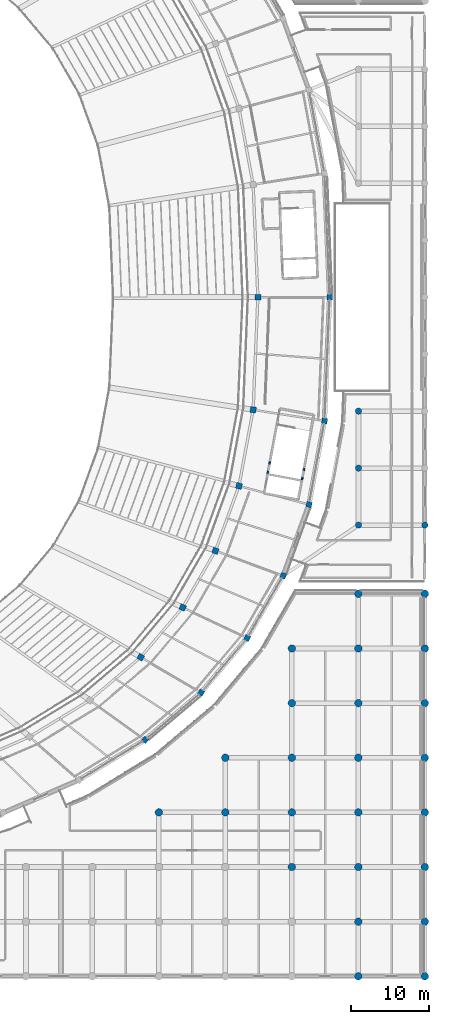
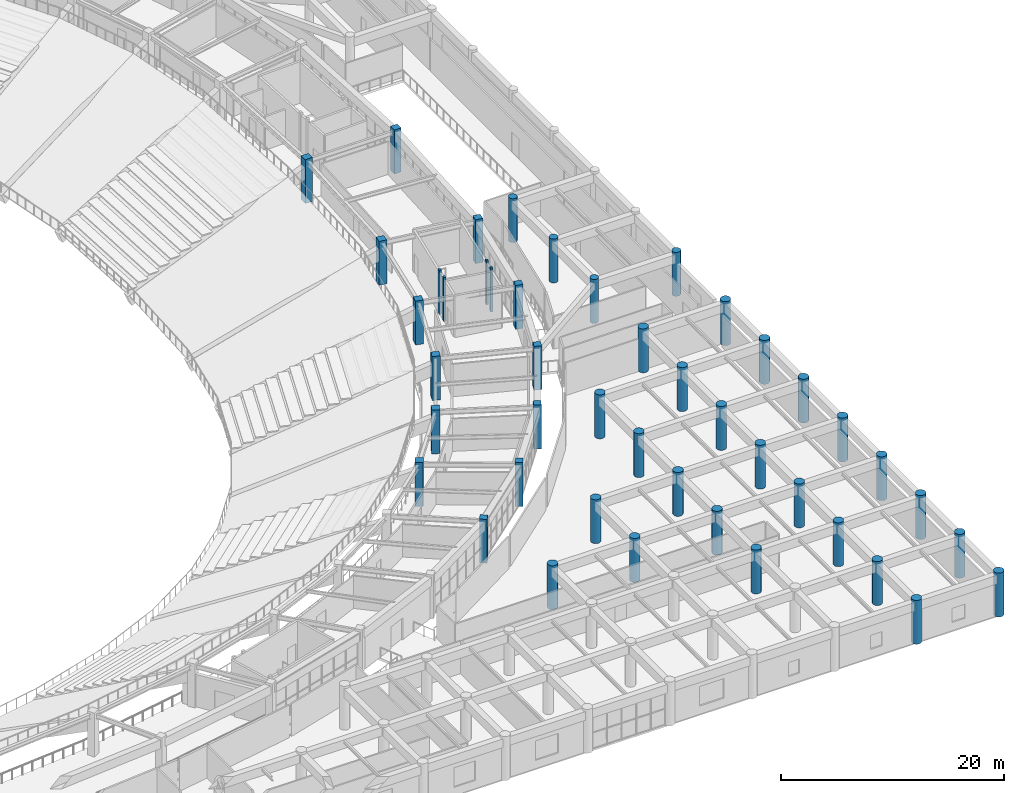
# One storey, part 5 of 137: 45 columns.
"""IFC4 building model written with IfcOpenShell, lengths in metres."""

from ifc_helpers import new_model, si_unit, direction, frame, origin, origin_2d, place, context, subcontext, project, spatial, rectangle, circle, extrude, material, material_profile, profile_set, type_object, element, save


model = new_model("IFC4")

# Units and contexts
model_context = context("Model", 3, precision=1e-05, world=origin(), true_north=direction((0.0, 1.0)))
body_context = subcontext(model_context, "Body", "Model", "MODEL_VIEW")
ifc_project = project(units=[si_unit("LENGTHUNIT", "METRE"), si_unit("AREAUNIT", "SQUARE_METRE"), si_unit("VOLUMEUNIT", "CUBIC_METRE"), si_unit("PLANEANGLEUNIT", "RADIAN"), si_unit("MASSUNIT", "GRAM", prefix="KILO")], contexts=[model_context])

# Site, building, storey
site_placement = place(None, origin())
site = spatial("IfcSite", under=ifc_project, at=site_placement, CompositionType="ELEMENT")
building_placement = place(site_placement, origin())
building = spatial("IfcBuilding", under=site, at=building_placement, Name="Mphavela Belvedere Stadium", CompositionType="ELEMENT")
storey_placement = place(building_placement, frame((0.0, 0.0, 19.199951171875)))
storey = spatial("IfcBuildingStorey", under=building, at=storey_placement, Name="L04", CompositionType="ELEMENT", Elevation=19.199951171875)

# Columns
ifc_material_1 = material(Name="Concrete C40/50", Category="concrete")
ifc_material_profile_1 = material_profile(ifc_material_1, rectangle(XDim=0.300048828125, YDim=0.219970703125, at=origin_2d()), Name="RC 300x220")
ifc_profile_set_1 = profile_set([ifc_material_profile_1], Name="Concrete C40/50")
column_type_1 = type_object("IfcColumnType", Name="COL-CORE-POST-300", PredefinedType="COLUMN", material=ifc_profile_set_1)
for number, where, z_axis, x_axis, name in (
    (1, (210.11376953125, 65.7646484375, 0.0), (0.0, 0.0, 1.0), (-0.182578735093, -0.983191235463, 0.0), "Core C12 stair frame column L04-1"),
    (2, (209.894775390625, 64.584716796875, 0.0), (0.0, 0.0, 1.0), (-0.182578735093, -0.983191235463, 0.0), "Core C12 stair frame column L04-2"),
    (3, (214.28955078125, 63.768798828125, 0.0), (0.0, 0.0, 1.0), (-0.182578735093, -0.983191235463, 0.0), "Core C12 stair frame column L04-3"),
    (4, (214.508544921875, 64.948486328125, 0.0), (0.0, 0.0, 1.0), (-0.182578735093, -0.983191235463, 0.0), "Core C12 stair frame column L04-4"),
):
    element("IfcColumn", number, at=place(storey_placement, frame(where, z_axis=z_axis, x_axis=x_axis)), inside=storey, type_object=column_type_1, Name=name, PredefinedType="COLUMN", context=body_context, shape_type="SweptSolid", body=[
        extrude(rectangle(XDim=0.300048828125, YDim=0.219970703125, at=origin_2d()), origin(), (0.0, 0.0, 1.0), 4.800048828125),
    ])
ifc_material_2 = material(Name="Concrete C40/50", Category="concrete")
ifc_material_profile_2 = material_profile(ifc_material_2, circle(Radius=0.47509765625, at=origin_2d()), Name="COL D950")
ifc_profile_set_2 = profile_set([ifc_material_profile_2], Name="Concrete C40/50")
column_type_2 = type_object("IfcColumnType", Name="COL-DORIC-950", PredefinedType="COLUMN", material=ifc_profile_set_2)
for number, where, z_axis, x_axis, name in (
    (5, (195.926025390625, 21.0, 0.0), (0.0, 0.0, 1.0), (1.0, 0.0, 0.0), "South Axial Triumphal Peristyle Portico classical column L04 24-4"),
    (6, (204.444091796875, 21.0, 0.0), (0.0, 0.0, 1.0), (1.0, 0.0, 0.0), "South Axial Triumphal Peristyle Portico classical column L04 25-4"),
    (7, (204.444091796875, 28.0, 0.0), (0.0, 0.0, 1.0), (1.0, 0.0, 0.0), "South Axial Triumphal Peristyle Portico classical column L04 25-5"),
    (8, (212.962890625, 14.0, 0.0), (0.0, 0.0, 1.0), (1.0, 0.0, 0.0), "South Axial Triumphal Peristyle Portico classical column L04 26-3"),
    (9, (212.962890625, 21.0, 0.0), (0.0, 0.0, 1.0), (1.0, 0.0, 0.0), "South Axial Triumphal Peristyle Portico classical column L04 26-4"),
    (10, (212.962890625, 28.0, 0.0), (0.0, 0.0, 1.0), (1.0, 0.0, 0.0), "South Axial Triumphal Peristyle Portico classical column L04 26-5"),
    (11, (212.962890625, 35.0, 0.0), (0.0, 0.0, 1.0), (1.0, 0.0, 0.0), "South Axial Triumphal Peristyle Portico classical column L04 26-6"),
    (12, (212.962890625, 42.0, 0.0), (0.0, 0.0, 1.0), (1.0, 0.0, 0.0), "South Axial Triumphal Peristyle Portico classical column L04 26-7"),
    (13, (221.48095703125, 0.0, 0.0), (0.0, 0.0, 1.0), (1.0, 0.0, 0.0), "South Axial Triumphal Peristyle Portico classical column L04 27-1"),
    (14, (221.48095703125, 7.0, 0.0), (0.0, 0.0, 1.0), (1.0, 0.0, 0.0), "South Axial Triumphal Peristyle Portico classical column L04 27-2"),
    (15, (221.48095703125, 14.0, 0.0), (0.0, 0.0, 1.0), (1.0, 0.0, 0.0), "South Axial Triumphal Peristyle Portico classical column L04 27-3"),
    (16, (221.48095703125, 21.0, 0.0), (0.0, 0.0, 1.0), (1.0, 0.0, 0.0), "South Axial Triumphal Peristyle Portico classical column L04 27-4"),
    (17, (221.48095703125, 28.0, 0.0), (0.0, 0.0, 1.0), (1.0, 0.0, 0.0), "South Axial Triumphal Peristyle Portico classical column L04 27-5"),
    (18, (221.48095703125, 35.0, 0.0), (0.0, 0.0, 1.0), (1.0, 0.0, 0.0), "South Axial Triumphal Peristyle Portico classical column L04 27-6"),
    (19, (221.48095703125, 42.0, 0.0), (0.0, 0.0, 1.0), (1.0, 0.0, 0.0), "South Axial Triumphal Peristyle Portico classical column L04 27-7"),
    (20, (221.48095703125, 49.0, 0.0), (0.0, 0.0, 1.0), (1.0, 0.0, 0.0), "South Axial Triumphal Peristyle Portico classical column L04 27-8"),
    (21, (230.0, 0.0, 0.0), (0.0, 0.0, 1.0), (1.0, 0.0, 0.0), "South Axial Triumphal Peristyle Portico classical column L04 28-1"),
    (22, (230.0, 7.0, 0.0), (0.0, 0.0, 1.0), (1.0, 0.0, 0.0), "South Axial Triumphal Peristyle Portico classical column L04 28-2"),
    (23, (230.0, 14.0, 0.0), (0.0, 0.0, 1.0), (1.0, 0.0, 0.0), "South Axial Triumphal Peristyle Portico classical column L04 28-3"),
    (24, (230.0, 21.0, 0.0), (0.0, 0.0, 1.0), (1.0, 0.0, 0.0), "South Axial Triumphal Peristyle Portico classical column L04 28-4"),
    (25, (230.0, 28.0, 0.0), (0.0, 0.0, 1.0), (1.0, 0.0, 0.0), "South Axial Triumphal Peristyle Portico classical column L04 28-5"),
    (26, (230.0, 35.0, 0.0), (0.0, 0.0, 1.0), (1.0, 0.0, 0.0), "South Axial Triumphal Peristyle Portico classical column L04 28-6"),
    (27, (230.0, 42.0, 0.0), (0.0, 0.0, 1.0), (1.0, 0.0, 0.0), "South Axial Triumphal Peristyle Portico classical column L04 28-7"),
    (28, (230.0, 49.0, 0.0), (0.0, 0.0, 1.0), (1.0, 0.0, 0.0), "South Axial Triumphal Peristyle Portico classical column L04 28-8"),
):
    element("IfcColumn", number, at=place(storey_placement, frame(where, z_axis=z_axis, x_axis=x_axis)), inside=storey, type_object=column_type_2, Name=name, PredefinedType="COLUMN", context=body_context, shape_type="SweptSolid", body=[
        extrude(circle(Radius=0.47509765625, at=origin_2d()), origin(), (0.0, 0.0, 1.0), 4.800048828125),
    ])
ifc_material_3 = material(Name="Concrete C40/50", Category="concrete")
ifc_material_profile_3 = material_profile(ifc_material_3, circle(Radius=0.39990234375, at=origin_2d()), Name="COL D800")
ifc_profile_set_3 = profile_set([ifc_material_profile_3], Name="Concrete C40/50")
column_type_3 = type_object("IfcColumnType", Name="COL-PERISTYLE-800", PredefinedType="COLUMN", material=ifc_profile_set_3)
for number, where, z_axis, x_axis, name in (
    (29, (221.5, 57.800048828125, 0.0), (0.0, 0.0, 1.0), (1.0, 0.0, 0.0), "East Planted Eaves Peristyle Colonnade classical column L04 8-2"),
    (30, (221.5, 65.10009765625, 0.0), (0.0, 0.0, 1.0), (1.0, 0.0, 0.0), "East Planted Eaves Peristyle Colonnade classical column L04 8-3"),
    (31, (221.5, 72.39990234375, 0.0), (0.0, 0.0, 1.0), (1.0, 0.0, 0.0), "East Planted Eaves Peristyle Colonnade classical column L04 8-4"),
    (32, (230.0, 57.800048828125, 0.0), (0.0, 0.0, 1.0), (1.0, 0.0, 0.0), "East Planted Eaves Peristyle Colonnade classical column L04 9-2"),
):
    element("IfcColumn", number, at=place(storey_placement, frame(where, z_axis=z_axis, x_axis=x_axis)), inside=storey, type_object=column_type_3, Name=name, PredefinedType="COLUMN", context=body_context, shape_type="SweptSolid", body=[
        extrude(circle(Radius=0.39990234375, at=origin_2d()), origin(), (0.0, 0.0, 1.0), 4.800048828125),
    ])
ifc_material_4 = material(Name="Concrete C40/50", Category="concrete")
ifc_material_profile_4 = material_profile(ifc_material_4, rectangle(XDim=0.699951171875, YDim=0.699951171875, at=origin_2d()), Name="RC 700x700")
ifc_profile_set_4 = profile_set([ifc_material_profile_4], Name="Concrete C40/50")
column_type_4 = type_object("IfcColumnType", Name="COL-RC700", PredefinedType="COLUMN", material=ifc_profile_set_4)
for number, where, z_axis, x_axis, name in (
    (33, (217.820068359375, 87.0, 0.0), (0.0, 0.0, 1.0), (1.0, 0.0, 0.0), "Outer colonnade column L04 R4-01"),
    (34, (194.155517578125, 30.285400390625, 0.0), (0.0, 0.0, 1.0), (0.812897512265, -0.582406760395, 0.0), "Outer colonnade column L04 R4-43"),
    (35, (201.33837890625, 36.346435546875, 0.0), (0.0, 0.0, 1.0), (0.862513669207, -0.506033764121, 0.0), "Outer colonnade column L04 R4-44"),
    (36, (207.242431640625, 43.33837890625, 0.0), (0.0, 0.0, 1.0), (0.903858661687, -0.4278311813, 0.0), "Outer colonnade column L04 R4-45"),
    (37, (211.856201171875, 51.317626953125, 0.0), (0.0, 0.0, 1.0), (0.938372433776, -0.34562577382, 0.0), "Outer colonnade column L04 R4-46"),
    (38, (215.16455078125, 60.4375, 0.0), (0.0, 0.0, 1.0), (0.966600102017, -0.256289373133, 0.0), "Outer colonnade column L04 R4-47"),
    (39, (217.155517578125, 71.155029296875, 0.0), (0.0, 0.0, 1.0), (0.98817491911, -0.153330783737, 0.0), "Outer colonnade column L04 R4-48"),
):
    element("IfcColumn", number, at=place(storey_placement, frame(where, z_axis=z_axis, x_axis=x_axis)), inside=storey, type_object=column_type_4, Name=name, PredefinedType="COLUMN", context=body_context, shape_type="SweptSolid", body=[
        extrude(rectangle(XDim=0.699951171875, YDim=0.699951171875, at=origin_2d()), origin(), (0.0, 0.0, 1.0), 4.800048828125),
    ])
ifc_material_5 = material(Name="Concrete C40/50", Category="concrete")
ifc_material_profile_5 = material_profile(ifc_material_5, rectangle(XDim=0.75, YDim=0.75, at=origin_2d()), Name="RC 750x750")
ifc_profile_set_5 = profile_set([ifc_material_profile_5], Name="Concrete C40/50")
column_type_5 = type_object("IfcColumnType", Name="COL-RC750", PredefinedType="COLUMN", material=ifc_profile_set_5)
for number, where, z_axis, x_axis, name in (
    (40, (208.60498046875, 87.0, 0.0), (0.0, 0.0, 1.0), (1.0, 0.0, 0.0), "Main bowl column L04 R3-01"),
    (41, (193.600341796875, 40.88623046875, 0.0), (0.0, 0.0, 1.0), (0.862513669207, -0.506033764121, 0.0), "Main bowl column L04 R3-44"),
    (42, (198.9755859375, 47.251708984375, 0.0), (0.0, 0.0, 1.0), (0.903858661687, -0.4278311813, 0.0), "Main bowl column L04 R3-45"),
    (43, (203.175537109375, 54.515625, 0.0), (0.0, 0.0, 1.0), (0.938372433776, -0.34562577382, 0.0), "Main bowl column L04 R3-46"),
    (44, (206.1875, 62.818115234375, 0.0), (0.0, 0.0, 1.0), (0.966600102017, -0.256289373133, 0.0), "Main bowl column L04 R3-47"),
    (45, (208.0, 72.5751953125, 0.0), (0.0, 0.0, 1.0), (0.98817491911, -0.153330783737, 0.0), "Main bowl column L04 R3-48"),
):
    element("IfcColumn", number, at=place(storey_placement, frame(where, z_axis=z_axis, x_axis=x_axis)), inside=storey, type_object=column_type_5, Name=name, PredefinedType="COLUMN", context=body_context, shape_type="SweptSolid", body=[
        extrude(rectangle(XDim=0.75, YDim=0.75, at=origin_2d()), origin(), (0.0, 0.0, 1.0), 4.800048828125),
    ])

save(model, "model.ifc")
